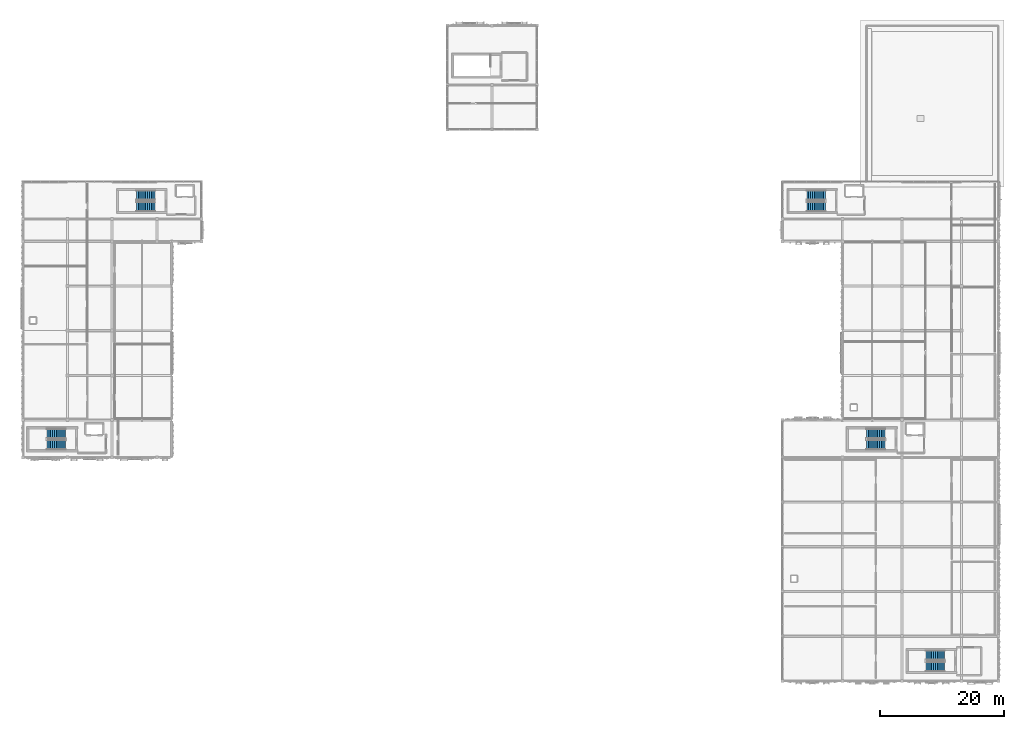
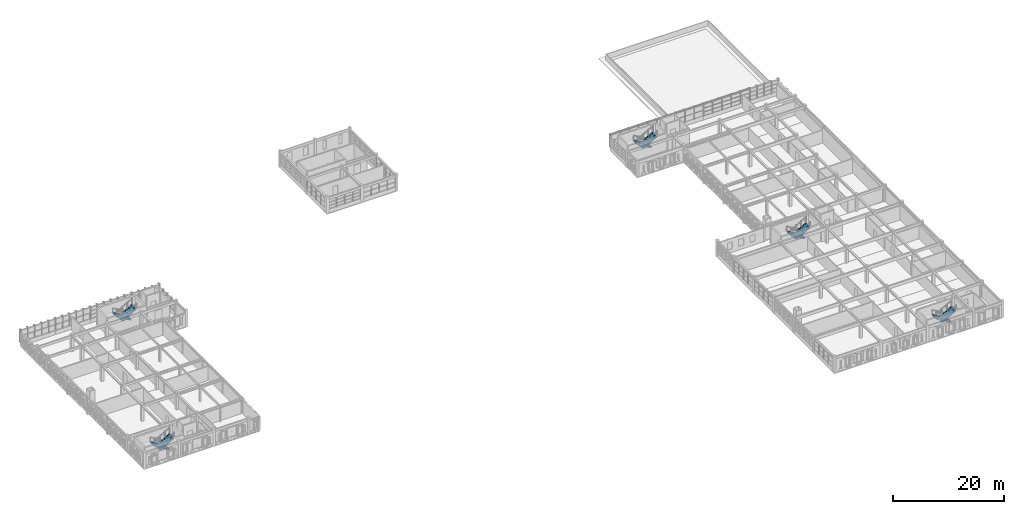
# One storey, part 33 of 53: 10 stair flights, 5 elements without a shape of their own.
"""IFC4 building model written with IfcOpenShell, lengths in metres."""

from ifc_helpers import new_model, si_unit, direction, frame, origin, place, context, subcontext, project, spatial, polyline, outline, extrude, material, type_object, element, aggregate, save


model = new_model("IFC4")

# Units and contexts
model_context = context("Model", 3, precision=1e-05, world=origin(), true_north=direction((0.0, 1.0)))
body_context = subcontext(model_context, "Body", "Model", "MODEL_VIEW")
ifc_project = project(units=[si_unit("LENGTHUNIT", "METRE"), si_unit("AREAUNIT", "SQUARE_METRE"), si_unit("VOLUMEUNIT", "CUBIC_METRE"), si_unit("PLANEANGLEUNIT", "RADIAN"), si_unit("MASSUNIT", "GRAM", prefix="KILO")], contexts=[model_context])

# Site, building, storey
site_placement = place(None, origin())
site = spatial("IfcSite", under=ifc_project, at=site_placement, CompositionType="ELEMENT")
building_placement = place(site_placement, origin())
building = spatial("IfcBuilding", under=site, at=building_placement, Name="Nzembalo Square Collegiate School", CompositionType="ELEMENT")
storey_placement = place(building_placement, frame((0.0, 0.0, 13.60009765625)))
storey = spatial("IfcBuildingStorey", under=building, at=storey_placement, Name="L03", CompositionType="ELEMENT", Elevation=13.60009765625)

# Stair, stair flights
ifc_material_1 = material(Name="Precast concrete C40/50", Category="concrete")
stair_type = type_object("IfcStairType", Name="ST-22R", PredefinedType="HALF_TURN_STAIR", material=ifc_material_1)
stair_1_placement = place(storey_placement, origin())
stair_1 = element("IfcStair", 1, at=stair_1_placement, inside=storey, type_object=stair_type, Name="Escape stair ST-05 (C1 L03)", PredefinedType="HALF_TURN_STAIR")
ifc_material_2 = material(Name="Precast concrete C40/50", Category="concrete")
stair_flight_type = type_object("IfcStairFlightType", Name="FL-11R", PredefinedType="STRAIGHT", material=ifc_material_2)
stair_flight_1_placement = place(storey_placement, frame((15.300048828125, 48.199951171875, 0.0), z_axis=(0.0, 0.0, 1.0), x_axis=(-1.0, 0.0, 0.0)))
stair_flight_1 = element("IfcStairFlight", 2, at=stair_flight_1_placement, type_object=stair_flight_type, Name="ST-05 flight 1", NumberOfRisers=11, NumberOfTreads=10, PredefinedType="STRAIGHT", RiserHeight=0.17, TreadLength=0.3, context=body_context, shape_type="SweptSolid", body=[
    extrude(outline(polyline([(0.0, 0.0), (0.0, 0.169921875), (0.300048828125, 0.169921875), (0.300048828125, 0.340087890625), (0.60009765625, 0.340087890625), (0.60009765625, 0.510009765625), (0.89990234375, 0.510009765625), (0.89990234375, 0.679931640625), (1.199951171875, 0.679931640625), (1.199951171875, 0.85009765625), (1.5, 0.85009765625), (1.5, 1.02001953125), (1.800048828125, 1.02001953125), (1.800048828125, 1.18994140625), (2.10009765625, 1.18994140625), (2.10009765625, 1.360107421875), (2.39990234375, 1.360107421875), (2.39990234375, 1.530029296875), (2.699951171875, 1.530029296875), (2.699951171875, 1.699951171875), (3.0, 1.699951171875), (3.0, 1.8701171875), (3.0, 1.51611328125), (0.324462890625, 0.0), (0.0, 0.0)])), frame((0.0, 0.800048828125, 0.0), z_axis=(0.0, -1.0, 0.0), x_axis=(1.0, 0.0, 0.0)), (0.0, 0.0, 1.0), 1.60009765625),
])
stair_flight_2_placement = place(storey_placement, frame((12.300048828125, 46.39990234375, 1.869873046875), z_axis=(0.0, 0.0, 1.0), x_axis=(1.0, 0.0, 0.0)))
stair_flight_2 = element("IfcStairFlight", 3, at=stair_flight_2_placement, type_object=stair_flight_type, Name="ST-05 flight 2", NumberOfRisers=11, NumberOfTreads=10, PredefinedType="STRAIGHT", RiserHeight=0.17, TreadLength=0.3, context=body_context, shape_type="SweptSolid", body=[
    extrude(outline(polyline([(0.0, 0.0), (0.0, 0.169921875), (0.300048828125, 0.169921875), (0.300048828125, 0.340087890625), (0.60009765625, 0.340087890625), (0.60009765625, 0.510009765625), (0.89990234375, 0.510009765625), (0.89990234375, 0.679931640625), (1.199951171875, 0.679931640625), (1.199951171875, 0.85009765625), (1.5, 0.85009765625), (1.5, 1.02001953125), (1.800048828125, 1.02001953125), (1.800048828125, 1.18994140625), (2.10009765625, 1.18994140625), (2.10009765625, 1.360107421875), (2.39990234375, 1.360107421875), (2.39990234375, 1.530029296875), (2.699951171875, 1.530029296875), (2.699951171875, 1.699951171875), (3.0, 1.699951171875), (3.0, 1.8701171875), (3.0, 1.51611328125), (0.324462890625, 0.0), (0.0, 0.0)])), frame((0.0, 0.800048828125, 0.0), z_axis=(0.0, -1.0, 0.0), x_axis=(1.0, 0.0, 0.0)), (0.0, 0.0, 1.0), 1.60009765625),
])
aggregate(stair_1, [stair_flight_1, stair_flight_2])

stair_2_placement = place(storey_placement, origin())
stair_2 = element("IfcStair", 4, at=stair_2_placement, inside=storey, type_object=stair_type, Name="Escape stair ST-09 (C2 L03)", PredefinedType="HALF_TURN_STAIR")
stair_flight_3_placement = place(storey_placement, frame((29.699951171875, 86.60009765625, 0.0), z_axis=(0.0, 0.0, 1.0), x_axis=(-1.0, 0.0, 0.0)))
stair_flight_3 = element("IfcStairFlight", 5, at=stair_flight_3_placement, type_object=stair_flight_type, Name="ST-09 flight 1", NumberOfRisers=11, NumberOfTreads=10, PredefinedType="STRAIGHT", RiserHeight=0.17, TreadLength=0.3, context=body_context, shape_type="SweptSolid", body=[
    extrude(outline(polyline([(0.0, 0.0), (0.0, 0.169921875), (0.300048828125, 0.169921875), (0.300048828125, 0.340087890625), (0.60009765625, 0.340087890625), (0.60009765625, 0.510009765625), (0.89990234375, 0.510009765625), (0.89990234375, 0.679931640625), (1.199951171875, 0.679931640625), (1.199951171875, 0.85009765625), (1.5, 0.85009765625), (1.5, 1.02001953125), (1.800048828125, 1.02001953125), (1.800048828125, 1.18994140625), (2.10009765625, 1.18994140625), (2.10009765625, 1.360107421875), (2.39990234375, 1.360107421875), (2.39990234375, 1.530029296875), (2.699951171875, 1.530029296875), (2.699951171875, 1.699951171875), (3.0, 1.699951171875), (3.0, 1.8701171875), (3.0, 1.51611328125), (0.324462890625, 0.0), (0.0, 0.0)])), frame((0.0, 0.800048828125, 0.0), z_axis=(0.0, -1.0, 0.0), x_axis=(1.0, 0.0, 0.0)), (0.0, 0.0, 1.0), 1.60009765625),
])
stair_flight_4_placement = place(storey_placement, frame((26.699951171875, 84.800048828125, 1.869873046875), z_axis=(0.0, 0.0, 1.0), x_axis=(1.0, 0.0, 0.0)))
stair_flight_4 = element("IfcStairFlight", 6, at=stair_flight_4_placement, type_object=stair_flight_type, Name="ST-09 flight 2", NumberOfRisers=11, NumberOfTreads=10, PredefinedType="STRAIGHT", RiserHeight=0.17, TreadLength=0.3, context=body_context, shape_type="SweptSolid", body=[
    extrude(outline(polyline([(0.0, 0.0), (0.0, 0.169921875), (0.300048828125, 0.169921875), (0.300048828125, 0.340087890625), (0.60009765625, 0.340087890625), (0.60009765625, 0.510009765625), (0.89990234375, 0.510009765625), (0.89990234375, 0.679931640625), (1.199951171875, 0.679931640625), (1.199951171875, 0.85009765625), (1.5, 0.85009765625), (1.5, 1.02001953125), (1.800048828125, 1.02001953125), (1.800048828125, 1.18994140625), (2.10009765625, 1.18994140625), (2.10009765625, 1.360107421875), (2.39990234375, 1.360107421875), (2.39990234375, 1.530029296875), (2.699951171875, 1.530029296875), (2.699951171875, 1.699951171875), (3.0, 1.699951171875), (3.0, 1.8701171875), (3.0, 1.51611328125), (0.324462890625, 0.0), (0.0, 0.0)])), frame((0.0, 0.800048828125, 0.0), z_axis=(0.0, -1.0, 0.0), x_axis=(1.0, 0.0, 0.0)), (0.0, 0.0, 1.0), 1.60009765625),
])
aggregate(stair_2, [stair_flight_3, stair_flight_4])

stair_3_placement = place(storey_placement, origin())
stair_3 = element("IfcStair", 7, at=stair_3_placement, inside=storey, type_object=stair_type, Name="Escape stair ST-16 (C4 L03)", PredefinedType="HALF_TURN_STAIR")
stair_flight_5_placement = place(storey_placement, frame((137.699951171875, 86.60009765625, 0.0), z_axis=(0.0, 0.0, 1.0), x_axis=(-1.0, 0.0, 0.0)))
stair_flight_5 = element("IfcStairFlight", 8, at=stair_flight_5_placement, type_object=stair_flight_type, Name="ST-16 flight 1", NumberOfRisers=11, NumberOfTreads=10, PredefinedType="STRAIGHT", RiserHeight=0.17, TreadLength=0.3, context=body_context, shape_type="SweptSolid", body=[
    extrude(outline(polyline([(0.0, 0.0), (0.0, 0.169921875), (0.300048828125, 0.169921875), (0.300048828125, 0.340087890625), (0.60009765625, 0.340087890625), (0.60009765625, 0.510009765625), (0.89990234375, 0.510009765625), (0.89990234375, 0.679931640625), (1.199951171875, 0.679931640625), (1.199951171875, 0.85009765625), (1.5, 0.85009765625), (1.5, 1.02001953125), (1.800048828125, 1.02001953125), (1.800048828125, 1.18994140625), (2.10009765625, 1.18994140625), (2.10009765625, 1.360107421875), (2.39990234375, 1.360107421875), (2.39990234375, 1.530029296875), (2.699951171875, 1.530029296875), (2.699951171875, 1.699951171875), (3.0, 1.699951171875), (3.0, 1.8701171875), (3.0, 1.51611328125), (0.324462890625, 0.0), (0.0, 0.0)])), frame((0.0, 0.800048828125, 0.0), z_axis=(0.0, -1.0, 0.0), x_axis=(1.0, 0.0, 0.0)), (0.0, 0.0, 1.0), 1.60009765625),
])
stair_flight_6_placement = place(storey_placement, frame((134.699951171875, 84.800048828125, 1.869873046875), z_axis=(0.0, 0.0, 1.0), x_axis=(1.0, 0.0, 0.0)))
stair_flight_6 = element("IfcStairFlight", 9, at=stair_flight_6_placement, type_object=stair_flight_type, Name="ST-16 flight 2", NumberOfRisers=11, NumberOfTreads=10, PredefinedType="STRAIGHT", RiserHeight=0.17, TreadLength=0.3, context=body_context, shape_type="SweptSolid", body=[
    extrude(outline(polyline([(0.0, 0.0), (0.0, 0.169921875), (0.300048828125, 0.169921875), (0.300048828125, 0.340087890625), (0.60009765625, 0.340087890625), (0.60009765625, 0.510009765625), (0.89990234375, 0.510009765625), (0.89990234375, 0.679931640625), (1.199951171875, 0.679931640625), (1.199951171875, 0.85009765625), (1.5, 0.85009765625), (1.5, 1.02001953125), (1.800048828125, 1.02001953125), (1.800048828125, 1.18994140625), (2.10009765625, 1.18994140625), (2.10009765625, 1.360107421875), (2.39990234375, 1.360107421875), (2.39990234375, 1.530029296875), (2.699951171875, 1.530029296875), (2.699951171875, 1.699951171875), (3.0, 1.699951171875), (3.0, 1.8701171875), (3.0, 1.51611328125), (0.324462890625, 0.0), (0.0, 0.0)])), frame((0.0, 0.800048828125, 0.0), z_axis=(0.0, -1.0, 0.0), x_axis=(1.0, 0.0, 0.0)), (0.0, 0.0, 1.0), 1.60009765625),
])
aggregate(stair_3, [stair_flight_5, stair_flight_6])

stair_4_placement = place(storey_placement, origin())
stair_4 = element("IfcStair", 10, at=stair_4_placement, inside=storey, type_object=stair_type, Name="Escape stair ST-22 (C5 L03)", PredefinedType="HALF_TURN_STAIR")
stair_flight_7_placement = place(storey_placement, frame((147.300048828125, 48.199951171875, 0.0), z_axis=(0.0, 0.0, 1.0), x_axis=(-1.0, 0.0, 0.0)))
stair_flight_7 = element("IfcStairFlight", 11, at=stair_flight_7_placement, type_object=stair_flight_type, Name="ST-22 flight 1", NumberOfRisers=11, NumberOfTreads=10, PredefinedType="STRAIGHT", RiserHeight=0.17, TreadLength=0.3, context=body_context, shape_type="SweptSolid", body=[
    extrude(outline(polyline([(0.0, 0.0), (0.0, 0.169921875), (0.300048828125, 0.169921875), (0.300048828125, 0.340087890625), (0.60009765625, 0.340087890625), (0.60009765625, 0.510009765625), (0.89990234375, 0.510009765625), (0.89990234375, 0.679931640625), (1.199951171875, 0.679931640625), (1.199951171875, 0.85009765625), (1.5, 0.85009765625), (1.5, 1.02001953125), (1.800048828125, 1.02001953125), (1.800048828125, 1.18994140625), (2.10009765625, 1.18994140625), (2.10009765625, 1.360107421875), (2.39990234375, 1.360107421875), (2.39990234375, 1.530029296875), (2.699951171875, 1.530029296875), (2.699951171875, 1.699951171875), (3.0, 1.699951171875), (3.0, 1.8701171875), (3.0, 1.51611328125), (0.324462890625, 0.0), (0.0, 0.0)])), frame((0.0, 0.800048828125, 0.0), z_axis=(0.0, -1.0, 0.0), x_axis=(1.0, 0.0, 0.0)), (0.0, 0.0, 1.0), 1.60009765625),
])
stair_flight_8_placement = place(storey_placement, frame((144.300048828125, 46.39990234375, 1.869873046875), z_axis=(0.0, 0.0, 1.0), x_axis=(1.0, 0.0, 0.0)))
stair_flight_8 = element("IfcStairFlight", 12, at=stair_flight_8_placement, type_object=stair_flight_type, Name="ST-22 flight 2", NumberOfRisers=11, NumberOfTreads=10, PredefinedType="STRAIGHT", RiserHeight=0.17, TreadLength=0.3, context=body_context, shape_type="SweptSolid", body=[
    extrude(outline(polyline([(0.0, 0.0), (0.0, 0.169921875), (0.300048828125, 0.169921875), (0.300048828125, 0.340087890625), (0.60009765625, 0.340087890625), (0.60009765625, 0.510009765625), (0.89990234375, 0.510009765625), (0.89990234375, 0.679931640625), (1.199951171875, 0.679931640625), (1.199951171875, 0.85009765625), (1.5, 0.85009765625), (1.5, 1.02001953125), (1.800048828125, 1.02001953125), (1.800048828125, 1.18994140625), (2.10009765625, 1.18994140625), (2.10009765625, 1.360107421875), (2.39990234375, 1.360107421875), (2.39990234375, 1.530029296875), (2.699951171875, 1.530029296875), (2.699951171875, 1.699951171875), (3.0, 1.699951171875), (3.0, 1.8701171875), (3.0, 1.51611328125), (0.324462890625, 0.0), (0.0, 0.0)])), frame((0.0, 0.800048828125, 0.0), z_axis=(0.0, -1.0, 0.0), x_axis=(1.0, 0.0, 0.0)), (0.0, 0.0, 1.0), 1.60009765625),
])
aggregate(stair_4, [stair_flight_7, stair_flight_8])

stair_5_placement = place(storey_placement, origin())
stair_5 = element("IfcStair", 13, at=stair_5_placement, inside=storey, type_object=stair_type, Name="Escape stair ST-27 (C6 L03)", PredefinedType="HALF_TURN_STAIR")
stair_flight_9_placement = place(storey_placement, frame((156.89990234375, 12.5, 0.0), z_axis=(0.0, 0.0, 1.0), x_axis=(-1.0, 0.0, 0.0)))
stair_flight_9 = element("IfcStairFlight", 14, at=stair_flight_9_placement, type_object=stair_flight_type, Name="ST-27 flight 1", NumberOfRisers=11, NumberOfTreads=10, PredefinedType="STRAIGHT", RiserHeight=0.17, TreadLength=0.3, context=body_context, shape_type="SweptSolid", body=[
    extrude(outline(polyline([(0.0, 0.0), (0.0, 0.169921875), (0.300048828125, 0.169921875), (0.300048828125, 0.340087890625), (0.60009765625, 0.340087890625), (0.60009765625, 0.510009765625), (0.89990234375, 0.510009765625), (0.89990234375, 0.679931640625), (1.199951171875, 0.679931640625), (1.199951171875, 0.85009765625), (1.5, 0.85009765625), (1.5, 1.02001953125), (1.800048828125, 1.02001953125), (1.800048828125, 1.18994140625), (2.10009765625, 1.18994140625), (2.10009765625, 1.360107421875), (2.39990234375, 1.360107421875), (2.39990234375, 1.530029296875), (2.699951171875, 1.530029296875), (2.699951171875, 1.699951171875), (3.0, 1.699951171875), (3.0, 1.8701171875), (3.0, 1.51611328125), (0.324462890625, 0.0), (0.0, 0.0)])), frame((0.0, 0.800048828125, 0.0), z_axis=(0.0, -1.0, 0.0), x_axis=(1.0, 0.0, 0.0)), (0.0, 0.0, 1.0), 1.60009765625),
])
stair_flight_10_placement = place(storey_placement, frame((153.89990234375, 10.699951171875, 1.869873046875), z_axis=(0.0, 0.0, 1.0), x_axis=(1.0, 0.0, 0.0)))
stair_flight_10 = element("IfcStairFlight", 15, at=stair_flight_10_placement, type_object=stair_flight_type, Name="ST-27 flight 2", NumberOfRisers=11, NumberOfTreads=10, PredefinedType="STRAIGHT", RiserHeight=0.17, TreadLength=0.3, context=body_context, shape_type="SweptSolid", body=[
    extrude(outline(polyline([(0.0, 0.0), (0.0, 0.169921875), (0.300048828125, 0.169921875), (0.300048828125, 0.340087890625), (0.60009765625, 0.340087890625), (0.60009765625, 0.510009765625), (0.89990234375, 0.510009765625), (0.89990234375, 0.679931640625), (1.199951171875, 0.679931640625), (1.199951171875, 0.85009765625), (1.5, 0.85009765625), (1.5, 1.02001953125), (1.800048828125, 1.02001953125), (1.800048828125, 1.18994140625), (2.10009765625, 1.18994140625), (2.10009765625, 1.360107421875), (2.39990234375, 1.360107421875), (2.39990234375, 1.530029296875), (2.699951171875, 1.530029296875), (2.699951171875, 1.699951171875), (3.0, 1.699951171875), (3.0, 1.8701171875), (3.0, 1.51611328125), (0.324462890625, 0.0), (0.0, 0.0)])), frame((0.0, 0.800048828125, 0.0), z_axis=(0.0, -1.0, 0.0), x_axis=(1.0, 0.0, 0.0)), (0.0, 0.0, 1.0), 1.60009765625),
])
aggregate(stair_5, [stair_flight_9, stair_flight_10])

save(model, "model.ifc")
